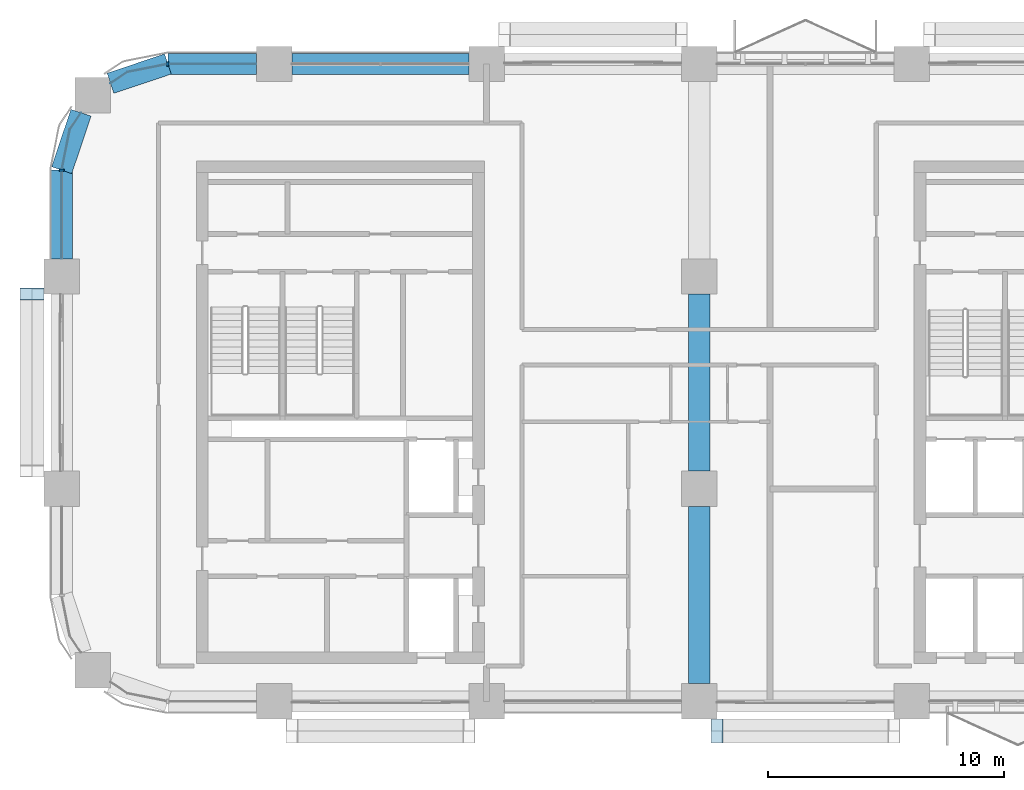
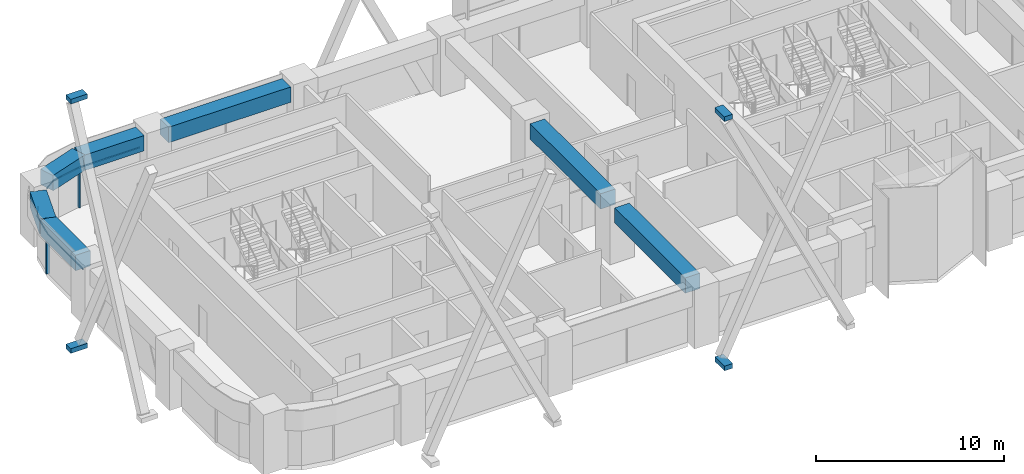
# One storey, part 3 of 14: 8 members, 7 beams, 2 elements without a shape of their own.
"""IFC4 building model written with IfcOpenShell, lengths in metres."""

from ifc_helpers import new_model, si_unit, direction, frame, origin, origin_2d, place, context, subcontext, project, spatial, polyline, rectangle, outline, extrude, material, layer, layer_set, material_profile, profile_set, type_object, element, aggregate, save


model = new_model("IFC4")

# Units and contexts
model_context = context("Model", 3, precision=1e-05, world=origin(), true_north=direction((0.0, 1.0)))
body_context = subcontext(model_context, "Body", "Model", "MODEL_VIEW")
ifc_project = project(units=[si_unit("LENGTHUNIT", "METRE"), si_unit("AREAUNIT", "SQUARE_METRE"), si_unit("VOLUMEUNIT", "CUBIC_METRE"), si_unit("PLANEANGLEUNIT", "RADIAN"), si_unit("MASSUNIT", "GRAM", prefix="KILO")], contexts=[model_context])

# Site, building, storey
site_placement = place(None, origin())
site = spatial("IfcSite", under=ifc_project, at=site_placement, CompositionType="ELEMENT")
building_placement = place(site_placement, origin())
building = spatial("IfcBuilding", under=site, at=building_placement, Name="Tessera Arch", CompositionType="ELEMENT")
storey_placement = place(building_placement, frame((0.0, 0.0, 150.5)))
storey = spatial("IfcBuildingStorey", under=building, at=storey_placement, Name="L35", CompositionType="ELEMENT", Elevation=150.5)

# Curtain wall, member
ifc_material_1 = material(Name="CW2 curtain wall")
curtain_wall_type = type_object("IfcCurtainWallType", Name="CW2 curtain wall", PredefinedType="NOTDEFINED", material=ifc_material_1)
curtain_wall_1_placement = place(storey_placement, origin())
curtain_wall_1 = element("IfcCurtainWall", 1, at=curtain_wall_1_placement, inside=storey, type_object=curtain_wall_type, Name="CW2 curtain wall N54.0/5 L35", PredefinedType="NOTDEFINED")
ifc_material_2 = material(Name="Anodised aluminium pale metal", Category="aluminium")
ifc_material_profile_1 = material_profile(ifc_material_2, rectangle(XDim=0.199951171875, YDim=0.080078125, at=origin_2d()), Name="AL 80x200")
ifc_profile_set_1 = profile_set([ifc_material_profile_1], Name="Anodised aluminium pale metal")
member_type_1 = type_object("IfcMemberType", Name="CW2 mullion", PredefinedType="MULLION", material=ifc_profile_set_1)
member_1_placement = place(storey_placement, frame((4.5, 54.0, 0.0), z_axis=(0.0, 0.0, 1.0), x_axis=(0.0, -1.0, 0.0)))
member_1 = element("IfcMember", 2, at=member_1_placement, type_object=member_type_1, Name="CW2 mullion N54.0/5 1", PredefinedType="MULLION", context=body_context, shape_type="SweptSolid", body=[
    extrude(rectangle(XDim=0.199951171875, YDim=0.080078125, at=origin_2d()), origin(), (0.0, 0.0, 1.0), 2.5),
])

curtain_wall_2_placement = place(storey_placement, origin())
curtain_wall_2 = element("IfcCurtainWall", 3, at=curtain_wall_2_placement, inside=storey, type_object=curtain_wall_type, Name="CW2 curtain wall W0.27/0 L35", PredefinedType="NOTDEFINED")
member_2_placement = place(storey_placement, frame((0.0, 49.5, 0.0), z_axis=(0.0, 0.0, 1.0), x_axis=(1.0, 0.0, 0.0)))
member_2 = element("IfcMember", 4, at=member_2_placement, type_object=member_type_1, Name="CW2 mullion W0.27/0 1", PredefinedType="MULLION", context=body_context, shape_type="SweptSolid", body=[
    extrude(rectangle(XDim=0.199951171875, YDim=0.080078125, at=origin_2d()), origin(), (0.0, 0.0, 1.0), 2.5),
])

# Member
ifc_material_3 = material(Name="Anodised aluminium pale metal", Category="aluminium")
ifc_material_profile_2 = material_profile(ifc_material_3, rectangle(XDim=0.199951171875, YDim=0.10009765625, at=origin_2d()), Name="AL 200x100")
ifc_profile_set_2 = profile_set([ifc_material_profile_2], Name="Anodised aluminium pale metal")
member_type_2 = type_object("IfcMemberType", Name="CW2 transom", PredefinedType="USERDEFINED", material=ifc_profile_set_2)
member_3_placement = place(storey_placement, frame((0.0, 0.0, 2.5)))
member_3 = element("IfcMember", 5, at=member_3_placement, type_object=member_type_2, Name="CW2 transom N54.0/5 1", ObjectType="TRANSOM", PredefinedType="USERDEFINED", context=body_context, shape_type="SweptSolid", body=[
    extrude(outline(polyline([(4.5009765625, 53.989990234375), (8.25, 53.989990234375), (8.25, 54.010009765625), (4.4990234375, 54.010009765625), (2.77392578125, 53.6669921875), (2.0625, 53.19140625), (2.073486328125, 53.1748046875), (2.78173828125, 53.648193359375), (4.5009765625, 53.989990234375)])), origin(), (0.0, 0.0, 1.0), 0.10009765625),
])

aggregate(curtain_wall_1, [member_1, member_3])

member_4_placement = place(storey_placement, frame((0.0, 0.0, 2.5)))
member_4 = element("IfcMember", 6, at=member_4_placement, type_object=member_type_2, Name="CW2 transom W0.27/0 1", ObjectType="TRANSOM", PredefinedType="USERDEFINED", context=body_context, shape_type="SweptSolid", body=[
    extrude(outline(polyline([(0.351806640625, 51.21826171875), (0.8251953125, 51.926513671875), (0.80859375, 51.9375), (0.3330078125, 51.22607421875), (-0.010009765625, 49.5009765625), (-0.010009765625, 45.75), (0.010009765625, 45.75), (0.010009765625, 49.4990234375), (0.351806640625, 51.21826171875)])), origin(), (0.0, 0.0, 1.0), 0.10009765625),
])

aggregate(curtain_wall_2, [member_2, member_4])

# Members
ifc_material_4 = material(Name="Steel A572 Gr50", Category="steel")
ifc_layer = layer(ifc_material_4, 0.050048828125)
ifc_layer_set = layer_set([ifc_layer], Name="Node block Steel A572 Gr50")
member_type_3 = type_object("IfcMemberType", Name="Node block Steel A572 Gr50", PredefinedType="PLATE", material=ifc_layer_set)
for number, where, z_axis, x_axis, name in (
    (7, (-1.258056640625, 44.25, -1.232421875), (0.0, 0.0, 1.0), (0.0, -1.0, 0.0), "Node block seat W0.27-1 2 L35"),
    (8, (-1.258056640625, 44.25, 14.9326171875), (0.0, 0.0, 1.0), (0.0, -1.0, 0.0), "Node block head W0.27-1 B L35"),
    (9, (27.75, 25.741943359375, -1.232421875), (0.0, 0.0, 1.0), (1.0, 0.0, 0.0), "Node block seat S27.0-3 2 L35"),
    (10, (27.75, 25.741943359375, 14.9326171875), (0.0, 0.0, 1.0), (1.0, 0.0, 0.0), "Node block head S27.0-3 B L35"),
):
    element("IfcMember", number, at=place(storey_placement, frame(where, z_axis=z_axis, x_axis=x_axis)), inside=storey, type_object=member_type_3, Name=name, PredefinedType="PLATE", context=body_context, shape_type="SweptSolid", body=[
        extrude(rectangle(XDim=0.508056640625, YDim=1.01611328125, at=origin_2d()), origin(), (0.0, 0.0, 1.0), 0.300048828125),
    ])

# Beams
ifc_material_5 = material(Name="Concrete C70/85", Category="concrete")
ifc_material_profile_3 = material_profile(ifc_material_5, rectangle(XDim=0.89990234375, YDim=1.0, at=origin_2d()), Name="RC spandrel beam 900 x 1000 Concrete C70/85")
ifc_profile_set_3 = profile_set([ifc_material_profile_3], Name="Concrete C70/85")
beam_type = type_object("IfcBeamType", Name="RC spandrel beam 900 x 1000 Concrete C70/85", PredefinedType="BEAM", material=ifc_profile_set_3)
beam_1_placement = place(storey_placement, frame((17.25, 54.0, 3.10009765625), z_axis=(-1.0, 0.0, 0.0), x_axis=(0.0, -1.0, 0.0)))
element("IfcBeam", 11, at=beam_1_placement, inside=storey, type_object=beam_type, Name="Spandrel beam L35 N54.0/4", PredefinedType="BEAM", context=body_context, shape_type="SweptSolid", body=[
    extrude(rectangle(XDim=0.89990234375, YDim=1.0, at=origin_2d()), origin(), (0.0, 0.0, 1.0), 7.5),
])
beam_2_placement = place(storey_placement, frame((8.25, 54.0, 3.10009765625), z_axis=(-1.0, 0.0, 0.0), x_axis=(0.0, -1.0, 0.0)))
element("IfcBeam", 12, at=beam_2_placement, inside=storey, type_object=beam_type, Name="Spandrel beam L35 N54.0/5.1", PredefinedType="BEAM", context=body_context, shape_type="SweptSolid", body=[
    extrude(rectangle(XDim=0.89990234375, YDim=1.0, at=origin_2d()), origin(), (0.0, 0.0, 1.0), 3.75),
])
for number, where, z_axis, x_axis, name in (
    (13, (4.5, 54.0, 3.10009765625), (-0.947947973234, -0.31842525032, 0.0), (0.31842525032, -0.947947973234, 0.0), "Spandrel beam L35 N54.0/5.2"),
    (14, (0.81689453125, 51.931884765625, 3.10009765625), (-0.31842525032, -0.947947973234, 0.0), (0.947947973234, -0.31842525032, 0.0), "Spandrel beam L35 W0.27/0.1"),
):
    element("IfcBeam", number, at=place(storey_placement, frame(where, z_axis=z_axis, x_axis=x_axis)), inside=storey, type_object=beam_type, Name=name, PredefinedType="BEAM", context=body_context, shape_type="SweptSolid", body=[
        extrude(rectangle(XDim=0.89990234375, YDim=1.0, at=origin_2d()), origin(), (0.0, 0.0, 1.0), 2.5654296875),
    ])
beam_3_placement = place(storey_placement, frame((0.0, 49.5, 3.10009765625), z_axis=(0.0, -1.0, 0.0), x_axis=(1.0, 0.0, 0.0)))
element("IfcBeam", 15, at=beam_3_placement, inside=storey, type_object=beam_type, Name="Spandrel beam L35 W0.27/0.2", PredefinedType="BEAM", context=body_context, shape_type="SweptSolid", body=[
    extrude(rectangle(XDim=0.89990234375, YDim=1.0, at=origin_2d()), origin(), (0.0, 0.0, 1.0), 3.75),
])
for number, where, z_axis, x_axis, name in (
    (16, (27.0, 27.75, 3.10009765625), (0.0, 1.0, 0.0), (-1.0, 0.0, 0.0), "Interface beam L35 I0C4D-C4E"),
    (17, (27.0, 36.75, 3.10009765625), (0.0, 1.0, 0.0), (-1.0, 0.0, 0.0), "Interface beam L35 I0C4E-C4F"),
):
    element("IfcBeam", number, at=place(storey_placement, frame(where, z_axis=z_axis, x_axis=x_axis)), inside=storey, type_object=beam_type, Name=name, PredefinedType="BEAM", context=body_context, shape_type="SweptSolid", body=[
        extrude(rectangle(XDim=0.89990234375, YDim=1.0, at=origin_2d()), origin(), (0.0, 0.0, 1.0), 7.5),
    ])

save(model, "model.ifc")
